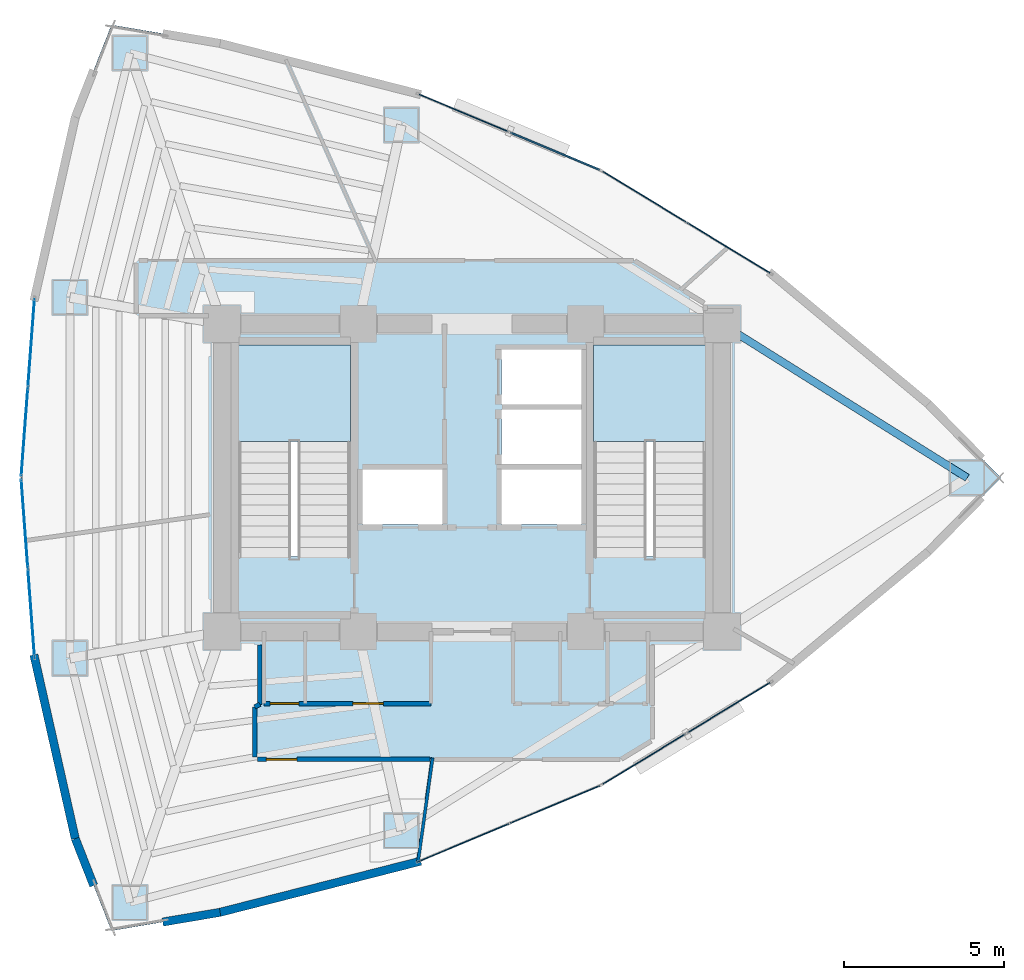
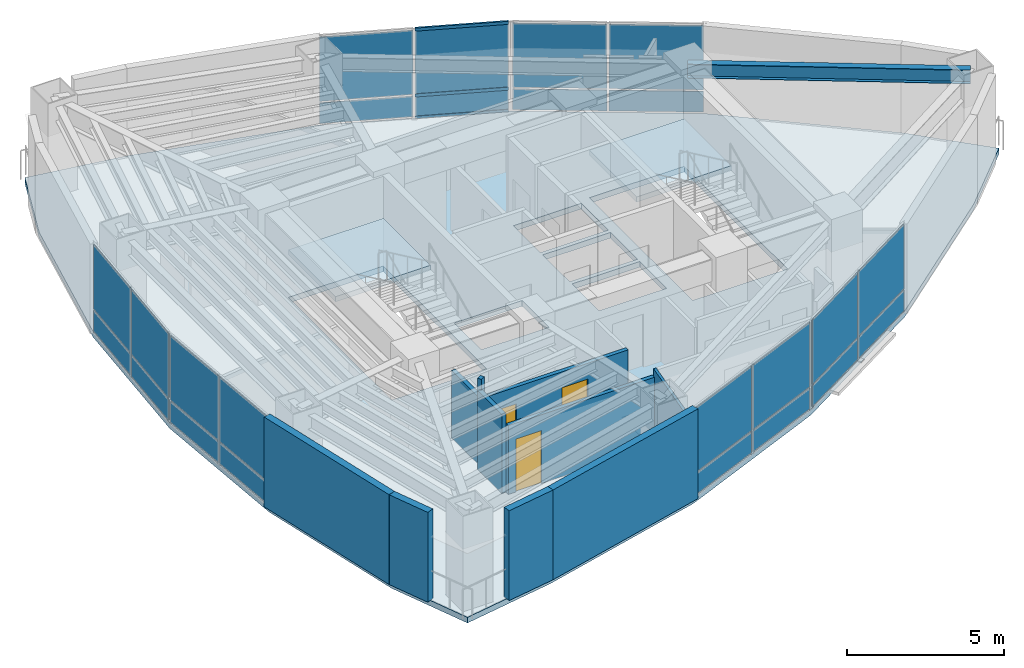
# One storey, part 10 of 15: 24 plates, 10 walls, 3 doors, 3 members, 3 slabs, 1 beam, 3 openings, 8 elements without a shape of their own.
"""IFC4 building model written with IfcOpenShell, lengths in metres."""

from ifc_helpers import new_model, si_unit, direction, frame, frame_2d, origin, origin_2d, place, context, subcontext, project, spatial, polyline, rectangle, hollow_rectangle, i_section, outline, extrude, material, layer, layer_set, material_profile, profile_set, type_object, element, fill, aggregate, save


model = new_model("IFC4")

# Units and contexts
model_context = context("Model", 3, precision=1e-05, world=origin(), true_north=direction((0.0, 1.0)))
body_context = subcontext(model_context, "Body", "Model", "MODEL_VIEW")
ifc_project = project(units=[si_unit("LENGTHUNIT", "METRE"), si_unit("AREAUNIT", "SQUARE_METRE"), si_unit("VOLUMEUNIT", "CUBIC_METRE"), si_unit("PLANEANGLEUNIT", "RADIAN"), si_unit("MASSUNIT", "GRAM", prefix="KILO")], contexts=[model_context])

# Site, building, storey
site_placement = place(None, origin())
site = spatial("IfcSite", under=ifc_project, at=site_placement, CompositionType="ELEMENT")
building_placement = place(site_placement, origin())
building = spatial("IfcBuilding", under=site, at=building_placement, Name="Menara Vayukalpa", CompositionType="ELEMENT")
storey_placement = place(building_placement, frame((0.0, 0.0, 141.179931640625)))
storey = spatial("IfcBuildingStorey", under=building, at=storey_placement, Name="L35", CompositionType="ELEMENT", Elevation=141.179931640625)

# Beam
ifc_material_1 = material(Name="Steel S355", Category="steel")
ifc_material_profile_1 = material_profile(ifc_material_1, i_section(OverallWidth=0.239990234375, OverallDepth=0.550048828125, WebThickness=0.010986328125, FlangeThickness=0.01904296875, at=origin_2d()), Name="WF 550x240x11x19")
ifc_profile_set_1 = profile_set([ifc_material_profile_1], Name="Steel S355")
beam_type = type_object("IfcBeamType", Name="BM-SP2", PredefinedType="SPANDREL", material=ifc_profile_set_1)
beam_placement = place(storey_placement, frame((41.05908203125, 22.0, 3.22509765625), z_axis=(-0.847348220701, 0.531037656739, 0.0), x_axis=(-0.531037656739, -0.847348220701, 0.0)))
element("IfcBeam", 1, at=beam_placement, inside=storey, type_object=beam_type, Name="L35 Perimeter Spandrel Beam SP01", PredefinedType="SPANDREL", context=body_context, shape_type="SweptSolid", body=[
    extrude(i_section(OverallWidth=0.239990234375, OverallDepth=0.550048828125, WebThickness=0.010986328125, FlangeThickness=0.01904296875, at=origin_2d()), origin(), (0.0, 0.0, 1.0), 9.0390625),
])

# Curtain wall, members
ifc_material_2 = material(Name="Anodised Terracotta Aluminium Alloy 6063-T6", Category="masonry")
ifc_layer_1 = layer(ifc_material_2, 0.14990234375)
ifc_layer_set_1 = layer_set([ifc_layer_1], Name="Anodised Terracotta Aluminium Alloy 6063-T6")
curtain_wall_type = type_object("IfcCurtainWallType", Name="CW-CW3", PredefinedType="USERDEFINED", material=ifc_layer_set_1)
curtain_wall_1_placement = place(storey_placement, origin())
curtain_wall_1 = element("IfcCurtainWall", 2, at=curtain_wall_1_placement, inside=storey, type_object=curtain_wall_type, Name="L35 Mid Rise Terracotta Ribbon Curtain Wall CW3 05", ObjectType="UNITISED", PredefinedType="USERDEFINED")
ifc_material_3 = material(Name="Anodised Terracotta Aluminium Alloy 6063-T6", Category="masonry")
ifc_material_profile_2 = material_profile(ifc_material_3, hollow_rectangle(XDim=0.06494140625, YDim=0.1201171875, WallThickness=0.00341796875, at=origin_2d()), Name="ALU 65x120x3.5")
ifc_profile_set_2 = profile_set([ifc_material_profile_2], Name="Anodised Terracotta Aluminium Alloy 6063-T6")
member_type = type_object("IfcMemberType", Name="CWT-CW3", PredefinedType="USERDEFINED", material=ifc_profile_set_2)
member_1_placement = place(storey_placement, frame((29.57666015625, 31.615966796875, 0.032470703125), z_axis=(-0.922529540739, 0.385926478054, 0.0), x_axis=(-0.385926478054, -0.922529540739, 0.0)))
member_1 = element("IfcMember", 3, at=member_1_placement, type_object=member_type, Name="CW3 transom 1.1", ObjectType="TRANSOM", PredefinedType="USERDEFINED", context=body_context, shape_type="SweptSolid", body=[
    extrude(hollow_rectangle(XDim=0.06494140625, YDim=0.1201171875, WallThickness=0.00341796875, at=origin_2d()), origin(), (0.0, 0.0, 1.0), 3.013671875),
])
member_2_placement = place(storey_placement, frame((29.57666015625, 31.615966796875, 0.900146484375), z_axis=(-0.922529540739, 0.385926478054, 0.0), x_axis=(-0.385926478054, -0.922529540739, 0.0)))
member_2 = element("IfcMember", 4, at=member_2_placement, type_object=member_type, Name="CW3 transom 1.2", ObjectType="TRANSOM", PredefinedType="USERDEFINED", context=body_context, shape_type="SweptSolid", body=[
    extrude(hollow_rectangle(XDim=0.06494140625, YDim=0.1201171875, WallThickness=0.00341796875, at=origin_2d()), origin(), (0.0, 0.0, 1.0), 3.013671875),
])
member_3_placement = place(storey_placement, frame((29.57666015625, 31.615966796875, 3.467529296875), z_axis=(-0.922529540739, 0.385926478054, 0.0), x_axis=(-0.385926478054, -0.922529540739, 0.0)))
member_3 = element("IfcMember", 5, at=member_3_placement, type_object=member_type, Name="CW3 transom 1.3", ObjectType="TRANSOM", PredefinedType="USERDEFINED", context=body_context, shape_type="SweptSolid", body=[
    extrude(hollow_rectangle(XDim=0.06494140625, YDim=0.1201171875, WallThickness=0.00341796875, at=origin_2d()), origin(), (0.0, 0.0, 1.0), 3.013671875),
])

# Curtain wall, plates
curtain_wall_2_placement = place(storey_placement, origin())
curtain_wall_2 = element("IfcCurtainWall", 6, at=curtain_wall_2_placement, inside=storey, type_object=curtain_wall_type, Name="L35 Mid Rise Terracotta Ribbon Curtain Wall CW3 04", ObjectType="UNITISED", PredefinedType="USERDEFINED")
ifc_material_4 = material(Name="Low-E Double Glazing", Category="glass")
ifc_layer_2 = layer(ifc_material_4, 0.030029296875)
ifc_layer_set_2 = layer_set([ifc_layer_2], Name="Low-E Double Glazing")
plate_type = type_object("IfcPlateType", Name="CWP-CW3", PredefinedType="CURTAIN_PANEL", material=ifc_layer_set_2)
plate_1_placement = place(storey_placement, frame((33.611328125, 29.176513671875, 0.06494140625), z_axis=(0.0, 0.0, 1.0), x_axis=(-0.854655342409, 0.519195768176, 0.0)))
plate_1 = element("IfcPlate", 7, at=plate_1_placement, type_object=plate_type, Name="CW3 panel 1.1", PredefinedType="CURTAIN_PANEL", context=body_context, shape_type="SweptSolid", body=[
    extrude(rectangle(XDim=3.013671875, YDim=0.030029296875, at=origin_2d()), origin(), (0.0, 0.0, 1.0), 0.802490234375),
])
plate_2_placement = place(storey_placement, frame((33.611328125, 29.176513671875, 0.9326171875), z_axis=(0.0, 0.0, 1.0), x_axis=(-0.854655342409, 0.519195768176, 0.0)))
plate_2 = element("IfcPlate", 8, at=plate_2_placement, type_object=plate_type, Name="CW3 panel 1.2", PredefinedType="CURTAIN_PANEL", context=body_context, shape_type="SweptSolid", body=[
    extrude(rectangle(XDim=3.013671875, YDim=0.030029296875, at=origin_2d()), origin(), (0.0, 0.0, 1.0), 2.50244140625),
])
plate_3_placement = place(storey_placement, frame((30.980224609375, 30.77490234375, 0.06494140625), z_axis=(0.0, 0.0, 1.0), x_axis=(-0.854655342409, 0.519195768176, 0.0)))
plate_3 = element("IfcPlate", 9, at=plate_3_placement, type_object=plate_type, Name="CW3 panel 2.1", PredefinedType="CURTAIN_PANEL", context=body_context, shape_type="SweptSolid", body=[
    extrude(rectangle(XDim=3.013671875, YDim=0.030029296875, at=origin_2d()), origin(), (0.0, 0.0, 1.0), 0.802490234375),
])
plate_4_placement = place(storey_placement, frame((30.980224609375, 30.77490234375, 0.9326171875), z_axis=(0.0, 0.0, 1.0), x_axis=(-0.854655342409, 0.519195768176, 0.0)))
plate_4 = element("IfcPlate", 10, at=plate_4_placement, type_object=plate_type, Name="CW3 panel 2.2", PredefinedType="CURTAIN_PANEL", context=body_context, shape_type="SweptSolid", body=[
    extrude(rectangle(XDim=3.013671875, YDim=0.030029296875, at=origin_2d()), origin(), (0.0, 0.0, 1.0), 2.50244140625),
])
aggregate(curtain_wall_2, [plate_1, plate_2, plate_3, plate_4])

# Plate
plate_5_placement = place(storey_placement, frame((28.1865234375, 32.197509765625, 0.06494140625), z_axis=(0.0, 0.0, 1.0), x_axis=(-0.922546385056, 0.385886210456, 0.0)))
plate_5 = element("IfcPlate", 11, at=plate_5_placement, type_object=plate_type, Name="CW3 panel 1.1", PredefinedType="CURTAIN_PANEL", context=body_context, shape_type="SweptSolid", body=[
    extrude(rectangle(XDim=3.013671875, YDim=0.030029296875, at=origin_2d()), origin(), (0.0, 0.0, 1.0), 0.802490234375),
])

plate_6_placement = place(storey_placement, frame((28.1865234375, 32.197509765625, 0.9326171875), z_axis=(0.0, 0.0, 1.0), x_axis=(-0.922546385056, 0.385886210456, 0.0)))
plate_6 = element("IfcPlate", 12, at=plate_6_placement, type_object=plate_type, Name="CW3 panel 1.2", PredefinedType="CURTAIN_PANEL", context=body_context, shape_type="SweptSolid", body=[
    extrude(rectangle(XDim=3.013671875, YDim=0.030029296875, at=origin_2d()), origin(), (0.0, 0.0, 1.0), 2.50244140625),
])

plate_7_placement = place(storey_placement, frame((25.34619140625, 33.3857421875, 0.06494140625), z_axis=(0.0, 0.0, 1.0), x_axis=(-0.922546385056, 0.385886210456, 0.0)))
plate_7 = element("IfcPlate", 13, at=plate_7_placement, type_object=plate_type, Name="CW3 panel 2.1", PredefinedType="CURTAIN_PANEL", context=body_context, shape_type="SweptSolid", body=[
    extrude(rectangle(XDim=3.013671875, YDim=0.030029296875, at=origin_2d()), origin(), (0.0, 0.0, 1.0), 0.802490234375),
])

plate_8_placement = place(storey_placement, frame((25.34619140625, 33.3857421875, 0.9326171875), z_axis=(0.0, 0.0, 1.0), x_axis=(-0.922546385056, 0.385886210456, 0.0)))
plate_8 = element("IfcPlate", 14, at=plate_8_placement, type_object=plate_type, Name="CW3 panel 2.2", PredefinedType="CURTAIN_PANEL", context=body_context, shape_type="SweptSolid", body=[
    extrude(rectangle(XDim=3.013671875, YDim=0.030029296875, at=origin_2d()), origin(), (0.0, 0.0, 1.0), 2.50244140625),
])

aggregate(curtain_wall_1, [member_1, member_2, member_3, plate_5, plate_6, plate_7, plate_8])

# Curtain wall, plates
curtain_wall_3_placement = place(storey_placement, origin())
curtain_wall_3 = element("IfcCurtainWall", 15, at=curtain_wall_3_placement, inside=storey, type_object=curtain_wall_type, Name="L35 Mid Rise Terracotta Ribbon Curtain Wall CW3 10", ObjectType="UNITISED", PredefinedType="USERDEFINED")
plate_9_placement = place(storey_placement, frame((11.84228515625, 26.207763671875, 0.06494140625), z_axis=(0.0, 0.0, 1.0), x_axis=(-0.074792589364, -0.997199111801, 0.0)))
plate_9 = element("IfcPlate", 16, at=plate_9_placement, type_object=plate_type, Name="CW3 panel 1.1", PredefinedType="CURTAIN_PANEL", context=body_context, shape_type="SweptSolid", body=[
    extrude(rectangle(XDim=2.726318359375, YDim=0.030029296875, at=origin_2d()), origin(), (0.0, 0.0, 1.0), 0.802490234375),
])
plate_10_placement = place(storey_placement, frame((11.84228515625, 26.207763671875, 0.9326171875), z_axis=(0.0, 0.0, 1.0), x_axis=(-0.074792589364, -0.997199111801, 0.0)))
plate_10 = element("IfcPlate", 17, at=plate_10_placement, type_object=plate_type, Name="CW3 panel 1.2", PredefinedType="CURTAIN_PANEL", context=body_context, shape_type="SweptSolid", body=[
    extrude(rectangle(XDim=2.726318359375, YDim=0.030029296875, at=origin_2d()), origin(), (0.0, 0.0, 1.0), 2.50244140625),
])
plate_11_placement = place(storey_placement, frame((11.633544921875, 23.424072265625, 0.06494140625), z_axis=(0.0, 0.0, 1.0), x_axis=(-0.074792589364, -0.997199111801, 0.0)))
plate_11 = element("IfcPlate", 18, at=plate_11_placement, type_object=plate_type, Name="CW3 panel 2.1", PredefinedType="CURTAIN_PANEL", context=body_context, shape_type="SweptSolid", body=[
    extrude(rectangle(XDim=2.726318359375, YDim=0.030029296875, at=origin_2d()), origin(), (0.0, 0.0, 1.0), 0.802490234375),
])
plate_12_placement = place(storey_placement, frame((11.633544921875, 23.424072265625, 0.9326171875), z_axis=(0.0, 0.0, 1.0), x_axis=(-0.074792589364, -0.997199111801, 0.0)))
plate_12 = element("IfcPlate", 19, at=plate_12_placement, type_object=plate_type, Name="CW3 panel 2.2", PredefinedType="CURTAIN_PANEL", context=body_context, shape_type="SweptSolid", body=[
    extrude(rectangle(XDim=2.726318359375, YDim=0.030029296875, at=origin_2d()), origin(), (0.0, 0.0, 1.0), 2.50244140625),
])
aggregate(curtain_wall_3, [plate_9, plate_10, plate_11, plate_12])

curtain_wall_4_placement = place(storey_placement, origin())
curtain_wall_4 = element("IfcCurtainWall", 20, at=curtain_wall_4_placement, inside=storey, type_object=curtain_wall_type, Name="L35 Mid Rise Terracotta Ribbon Curtain Wall CW3 11", ObjectType="UNITISED", PredefinedType="USERDEFINED")
plate_13_placement = place(storey_placement, frame((11.633544921875, 20.575927734375, 0.06494140625), z_axis=(0.0, 0.0, 1.0), x_axis=(0.074792589364, -0.997199111801, 0.0)))
plate_13 = element("IfcPlate", 21, at=plate_13_placement, type_object=plate_type, Name="CW3 panel 1.1", PredefinedType="CURTAIN_PANEL", context=body_context, shape_type="SweptSolid", body=[
    extrude(rectangle(XDim=2.726318359375, YDim=0.030029296875, at=origin_2d()), origin(), (0.0, 0.0, 1.0), 0.802490234375),
])
plate_14_placement = place(storey_placement, frame((11.633544921875, 20.575927734375, 0.9326171875), z_axis=(0.0, 0.0, 1.0), x_axis=(0.074792589364, -0.997199111801, 0.0)))
plate_14 = element("IfcPlate", 22, at=plate_14_placement, type_object=plate_type, Name="CW3 panel 1.2", PredefinedType="CURTAIN_PANEL", context=body_context, shape_type="SweptSolid", body=[
    extrude(rectangle(XDim=2.726318359375, YDim=0.030029296875, at=origin_2d()), origin(), (0.0, 0.0, 1.0), 2.50244140625),
])
plate_15_placement = place(storey_placement, frame((11.84228515625, 17.792236328125, 0.06494140625), z_axis=(0.0, 0.0, 1.0), x_axis=(0.074792589364, -0.997199111801, 0.0)))
plate_15 = element("IfcPlate", 23, at=plate_15_placement, type_object=plate_type, Name="CW3 panel 2.1", PredefinedType="CURTAIN_PANEL", context=body_context, shape_type="SweptSolid", body=[
    extrude(rectangle(XDim=2.726318359375, YDim=0.030029296875, at=origin_2d()), origin(), (0.0, 0.0, 1.0), 0.802490234375),
])
plate_16_placement = place(storey_placement, frame((11.84228515625, 17.792236328125, 0.9326171875), z_axis=(0.0, 0.0, 1.0), x_axis=(0.074792589364, -0.997199111801, 0.0)))
plate_16 = element("IfcPlate", 24, at=plate_16_placement, type_object=plate_type, Name="CW3 panel 2.2", PredefinedType="CURTAIN_PANEL", context=body_context, shape_type="SweptSolid", body=[
    extrude(rectangle(XDim=2.726318359375, YDim=0.030029296875, at=origin_2d()), origin(), (0.0, 0.0, 1.0), 2.50244140625),
])
aggregate(curtain_wall_4, [plate_13, plate_14, plate_15, plate_16])

curtain_wall_5_placement = place(storey_placement, origin())
curtain_wall_5 = element("IfcCurtainWall", 25, at=curtain_wall_5_placement, inside=storey, type_object=curtain_wall_type, Name="L35 Mid Rise Terracotta Ribbon Curtain Wall CW3 16", ObjectType="UNITISED", PredefinedType="USERDEFINED")
plate_17_placement = place(storey_placement, frame((25.34619140625, 10.6142578125, 0.06494140625), z_axis=(0.0, 0.0, 1.0), x_axis=(0.922546385056, 0.385886210456, 0.0)))
plate_17 = element("IfcPlate", 26, at=plate_17_placement, type_object=plate_type, Name="CW3 panel 1.1", PredefinedType="CURTAIN_PANEL", context=body_context, shape_type="SweptSolid", body=[
    extrude(rectangle(XDim=3.013671875, YDim=0.030029296875, at=origin_2d()), origin(), (0.0, 0.0, 1.0), 0.802490234375),
])
plate_18_placement = place(storey_placement, frame((25.34619140625, 10.6142578125, 0.9326171875), z_axis=(0.0, 0.0, 1.0), x_axis=(0.922546385056, 0.385886210456, 0.0)))
plate_18 = element("IfcPlate", 27, at=plate_18_placement, type_object=plate_type, Name="CW3 panel 1.2", PredefinedType="CURTAIN_PANEL", context=body_context, shape_type="SweptSolid", body=[
    extrude(rectangle(XDim=3.013671875, YDim=0.030029296875, at=origin_2d()), origin(), (0.0, 0.0, 1.0), 2.50244140625),
])
plate_19_placement = place(storey_placement, frame((28.1865234375, 11.802490234375, 0.06494140625), z_axis=(0.0, 0.0, 1.0), x_axis=(0.922546385056, 0.385886210456, 0.0)))
plate_19 = element("IfcPlate", 28, at=plate_19_placement, type_object=plate_type, Name="CW3 panel 2.1", PredefinedType="CURTAIN_PANEL", context=body_context, shape_type="SweptSolid", body=[
    extrude(rectangle(XDim=3.013671875, YDim=0.030029296875, at=origin_2d()), origin(), (0.0, 0.0, 1.0), 0.802490234375),
])
plate_20_placement = place(storey_placement, frame((28.1865234375, 11.802490234375, 0.9326171875), z_axis=(0.0, 0.0, 1.0), x_axis=(0.922546385056, 0.385886210456, 0.0)))
plate_20 = element("IfcPlate", 29, at=plate_20_placement, type_object=plate_type, Name="CW3 panel 2.2", PredefinedType="CURTAIN_PANEL", context=body_context, shape_type="SweptSolid", body=[
    extrude(rectangle(XDim=3.013671875, YDim=0.030029296875, at=origin_2d()), origin(), (0.0, 0.0, 1.0), 2.50244140625),
])
aggregate(curtain_wall_5, [plate_17, plate_18, plate_19, plate_20])

curtain_wall_6_placement = place(storey_placement, origin())
curtain_wall_6 = element("IfcCurtainWall", 30, at=curtain_wall_6_placement, inside=storey, type_object=curtain_wall_type, Name="L35 Mid Rise Terracotta Ribbon Curtain Wall CW3 17", ObjectType="UNITISED", PredefinedType="USERDEFINED")
plate_21_placement = place(storey_placement, frame((30.980224609375, 13.22509765625, 0.06494140625), z_axis=(0.0, 0.0, 1.0), x_axis=(0.854655342409, 0.519195768176, 0.0)))
plate_21 = element("IfcPlate", 31, at=plate_21_placement, type_object=plate_type, Name="CW3 panel 1.1", PredefinedType="CURTAIN_PANEL", context=body_context, shape_type="SweptSolid", body=[
    extrude(rectangle(XDim=3.013671875, YDim=0.030029296875, at=origin_2d()), origin(), (0.0, 0.0, 1.0), 0.802490234375),
])
plate_22_placement = place(storey_placement, frame((30.980224609375, 13.22509765625, 0.9326171875), z_axis=(0.0, 0.0, 1.0), x_axis=(0.854655342409, 0.519195768176, 0.0)))
plate_22 = element("IfcPlate", 32, at=plate_22_placement, type_object=plate_type, Name="CW3 panel 1.2", PredefinedType="CURTAIN_PANEL", context=body_context, shape_type="SweptSolid", body=[
    extrude(rectangle(XDim=3.013671875, YDim=0.030029296875, at=origin_2d()), origin(), (0.0, 0.0, 1.0), 2.50244140625),
])
plate_23_placement = place(storey_placement, frame((33.611328125, 14.823486328125, 0.06494140625), z_axis=(0.0, 0.0, 1.0), x_axis=(0.854655342409, 0.519195768176, 0.0)))
plate_23 = element("IfcPlate", 33, at=plate_23_placement, type_object=plate_type, Name="CW3 panel 2.1", PredefinedType="CURTAIN_PANEL", context=body_context, shape_type="SweptSolid", body=[
    extrude(rectangle(XDim=3.013671875, YDim=0.030029296875, at=origin_2d()), origin(), (0.0, 0.0, 1.0), 0.802490234375),
])
plate_24_placement = place(storey_placement, frame((33.611328125, 14.823486328125, 0.9326171875), z_axis=(0.0, 0.0, 1.0), x_axis=(0.854655342409, 0.519195768176, 0.0)))
plate_24 = element("IfcPlate", 34, at=plate_24_placement, type_object=plate_type, Name="CW3 panel 2.2", PredefinedType="CURTAIN_PANEL", context=body_context, shape_type="SweptSolid", body=[
    extrude(rectangle(XDim=3.013671875, YDim=0.030029296875, at=origin_2d()), origin(), (0.0, 0.0, 1.0), 2.50244140625),
])
aggregate(curtain_wall_6, [plate_21, plate_22, plate_23, plate_24])

# Slab
ifc_material_5 = material(Name="Concrete C40/50", Category="concrete")
ifc_layer_3 = layer(ifc_material_5, 0.219970703125)
ifc_layer_set_3 = layer_set([ifc_layer_3], Name="Concrete C40/50")
slab_type_1 = type_object("IfcSlabType", Name="SLB-FL220", PredefinedType="FLOOR", material=ifc_layer_set_3)
slab_1_placement = place(storey_placement, frame((0.0, 0.0, -0.219970703125)))
element("IfcSlab", 35, at=slab_1_placement, inside=storey, type_object=slab_type_1, Name="L35 Structural Floor Slab", PredefinedType="FLOOR", context=body_context, shape_type="SweptSolid", body=[
    extrude(outline(polyline([(39.8505859375, 19.69970703125), (42.109130859375, 22.0), (39.8505859375, 24.30029296875), (34.954833984375, 28.3603515625), (29.63671875, 31.591064453125), (23.89599609375, 33.9921875), (17.733154296875, 35.56396484375), (14.345458984375, 36.13916015625), (13.21630859375, 33.263671875), (11.94921875, 27.6318359375), (11.526611328125, 22.0), (11.94921875, 16.3681640625), (13.21630859375, 10.736328125), (14.345458984375, 7.86083984375), (17.733154296875, 8.43603515625), (23.89599609375, 10.0078125), (29.63671875, 12.408935546875), (34.954833984375, 15.6396484375), (39.8505859375, 19.69970703125)]), holes=[polyline([(21.800048828125, 19.550048828125), (21.800048828125, 26.14990234375), (18.300048828125, 26.14990234375), (18.300048828125, 19.550048828125), (21.800048828125, 19.550048828125)]), polyline([(32.89990234375, 19.550048828125), (32.89990234375, 26.14990234375), (29.39990234375, 26.14990234375), (29.39990234375, 19.550048828125), (32.89990234375, 19.550048828125)]), polyline([(22.179931640625, 20.550048828125), (24.679931640625, 20.550048828125), (24.679931640625, 22.27001953125), (22.179931640625, 22.27001953125), (22.179931640625, 20.550048828125)]), polyline([(26.52001953125, 20.550048828125), (29.02001953125, 20.550048828125), (29.02001953125, 22.27001953125), (26.52001953125, 22.27001953125), (26.52001953125, 20.550048828125)]), polyline([(26.52001953125, 24.2900390625), (29.02001953125, 24.2900390625), (29.02001953125, 26.010009765625), (26.52001953125, 26.010009765625), (26.52001953125, 24.2900390625)]), polyline([(26.52001953125, 22.419921875), (29.02001953125, 22.419921875), (29.02001953125, 24.139892578125), (26.52001953125, 24.139892578125), (26.52001953125, 22.419921875)])]), origin(), (0.0, 0.0, 1.0), 0.219970703125),
])

# Stair, slab
ifc_material_6 = material(Name="Precast Concrete C40/50", Category="concrete")
stair_type = type_object("IfcStairType", Name="STR-T04", PredefinedType="DOUBLE_RETURN_STAIR", material=ifc_material_6)
stair_1_placement = place(storey_placement, origin())
stair_1 = element("IfcStair", 36, at=stair_1_placement, inside=storey, type_object=stair_type, Name="L35 Core Exit Stair ST-1", PredefinedType="DOUBLE_RETURN_STAIR")
ifc_material_7 = material(Name="Precast Concrete C40/50", Category="concrete")
ifc_layer_4 = layer(ifc_material_7, 0.199951171875)
ifc_layer_set_4 = layer_set([ifc_layer_4], Name="Precast Concrete C40/50")
slab_type_2 = type_object("IfcSlabType", Name="SLB-LND200", PredefinedType="LANDING", material=ifc_layer_set_4)
slab_2_placement = place(storey_placement, frame((0.0, 0.0, 1.66015625)))
slab_2 = element("IfcSlab", 37, at=slab_2_placement, type_object=slab_type_2, Name="ST-1 landing 1", PredefinedType="LANDING", context=body_context, shape_type="SweptSolid", body=[
    extrude(outline(polyline([(21.800048828125, 23.1298828125), (21.800048828125, 26.14990234375), (18.300048828125, 26.14990234375), (18.300048828125, 23.1298828125), (21.800048828125, 23.1298828125)])), origin(), (0.0, 0.0, 1.0), 0.199951171875),
])
aggregate(stair_1, [slab_2])

stair_2_placement = place(storey_placement, origin())
stair_2 = element("IfcStair", 38, at=stair_2_placement, inside=storey, type_object=stair_type, Name="L35 Core Exit Stair ST-2", PredefinedType="DOUBLE_RETURN_STAIR")
slab_3_placement = place(storey_placement, frame((0.0, 0.0, 1.66015625)))
slab_3 = element("IfcSlab", 39, at=slab_3_placement, type_object=slab_type_2, Name="ST-2 landing 1", PredefinedType="LANDING", context=body_context, shape_type="SweptSolid", body=[
    extrude(outline(polyline([(32.89990234375, 23.1298828125), (32.89990234375, 26.14990234375), (29.39990234375, 26.14990234375), (29.39990234375, 23.1298828125), (32.89990234375, 23.1298828125)])), origin(), (0.0, 0.0, 1.0), 0.199951171875),
])
aggregate(stair_2, [slab_3])

# Walls
ifc_material_8 = material(Name="Insulated Precast Concrete C40/50", Category="concrete")
ifc_layer_5 = layer(ifc_material_8, 0.260009765625)
ifc_layer_set_5 = layer_set([ifc_layer_5], Name="Insulated Precast Concrete C40/50")
wall_type_1 = type_object("IfcWallType", Name="WAL-EXT260", PredefinedType="PARTITIONING", material=ifc_layer_set_5)
wall_1_placement = place(storey_placement, frame((13.21630859375, 10.736328125, 0.0), z_axis=(0.0, 0.0, 1.0), x_axis=(-0.219500344647, 0.975612422379, 0.0)))
element("IfcWall", 40, at=wall_1_placement, inside=storey, type_object=wall_type_1, Name="L35 Perimeter Terracotta Pier Wall 12", PredefinedType="PARTITIONING", context=body_context, shape_type="SweptSolid", body=[
    extrude(rectangle(XDim=5.8828125, YDim=0.260009765625, at=frame_2d((2.94140625, 0.0))), origin(), (0.0, 0.0, 1.0), 3.5),
])
wall_2_placement = place(storey_placement, frame((13.790771484375, 9.2734375, 0.0), z_axis=(0.0, 0.0, 1.0), x_axis=(-0.365517796794, 0.930804351207, 0.0)))
element("IfcWall", 41, at=wall_2_placement, inside=storey, type_object=wall_type_1, Name="L35 Perimeter Terracotta Pier Wall 13", PredefinedType="PARTITIONING", context=body_context, shape_type="SweptSolid", body=[
    extrude(rectangle(XDim=1.571533203125, YDim=0.260009765625, at=frame_2d((0.78564453125, 0.0))), origin(), (0.0, 0.0, 1.0), 3.5),
])
wall_3_placement = place(storey_placement, frame((17.739013671875, 8.43701171875, 0.0), z_axis=(0.0, 0.0, 1.0), x_axis=(-0.985903286971, -0.167316193894, 0.0)))
element("IfcWall", 42, at=wall_3_placement, inside=storey, type_object=wall_type_1, Name="L35 Perimeter Terracotta Pier Wall 14", PredefinedType="PARTITIONING", context=body_context, shape_type="SweptSolid", body=[
    extrude(rectangle(XDim=1.818115234375, YDim=0.260009765625, at=frame_2d((0.9091796875, 0.0))), origin(), (0.0, 0.0, 1.0), 3.5),
])
wall_4_placement = place(storey_placement, frame((24.002685546875, 10.034912109375, 0.0), z_axis=(0.0, 0.0, 1.0), x_axis=(-0.968987460493, -0.24710989743, 0.0)))
element("IfcWall", 43, at=wall_4_placement, inside=storey, type_object=wall_type_1, Name="L35 Perimeter Terracotta Pier Wall 15", PredefinedType="PARTITIONING", context=body_context, shape_type="SweptSolid", body=[
    extrude(rectangle(XDim=6.476318359375, YDim=0.260009765625, at=frame_2d((3.23828125, 0.0))), origin(), (0.0, 0.0, 1.0), 3.5),
])
ifc_material_9 = material(Name="Glazed Demountable Office Partition", Category="glass")
ifc_layer_6 = layer(ifc_material_9, 0.094970703125)
ifc_layer_set_6 = layer_set([ifc_layer_6], Name="Glazed Demountable Office Partition")
wall_type_2 = type_object("IfcWallType", Name="WAL-PT100", PredefinedType="PARTITIONING", material=ifc_layer_set_6)
wall_5_placement = place(storey_placement, frame((24.37158203125, 13.260009765625, 0.0), z_axis=(0.0, 0.0, 1.0), x_axis=(-0.139164942591, -0.990269215291, 0.0)))
element("IfcWall", 44, at=wall_5_placement, inside=storey, type_object=wall_type_2, Name="L35 Interior Partition IW-L35-RDIV04", PredefinedType="PARTITIONING", context=body_context, shape_type="SweptSolid", body=[
    extrude(rectangle(XDim=3.28759765625, YDim=0.094970703125, at=frame_2d((1.643798828125, 0.0))), origin(), (0.0, 0.0, 1.0), 2.93017578125),
])

# Wall, openings, doors
ifc_material_10 = material(Name="Gypsum Drywall Acoustic Stud Assembly", Category="masonry")
ifc_layer_7 = layer(ifc_material_10, 0.14501953125)
ifc_layer_set_7 = layer_set([ifc_layer_7], Name="Gypsum Drywall Acoustic Stud Assembly")
wall_type_3 = type_object("IfcWallType", Name="WAL-PT150", PredefinedType="PARTITIONING", material=ifc_layer_set_7)
wall_6_placement = place(storey_placement, frame((19.10009765625, 14.949951171875, 0.0), z_axis=(0.0, 0.0, 1.0), x_axis=(1.0, 0.0, 0.0)))
wall_6 = element("IfcWall", 45, at=wall_6_placement, inside=storey, type_object=wall_type_3, Name="L35 Interior Partition IW-L35-SVCS-W", PredefinedType="PARTITIONING", context=body_context, shape_type="SweptSolid", body=[
    extrude(rectangle(XDim=5.219970703125, YDim=0.14501953125, at=frame_2d((2.60986328125, 0.0))), origin(), (0.0, 0.0, 1.0), 2.68017578125),
])
opening_1_placement = place(wall_6_placement, frame((0.199951171875, 0.0, 0.0)))
opening_1 = element("IfcOpeningElement", 46, at=opening_1_placement, cuts=wall_6, Name="Opening ID7", PredefinedType="OPENING", context=body_context, shape_type="SweptSolid", body=[
    extrude(rectangle(XDim=0.89990234375, YDim=2.02001953125, at=frame_2d((0.449951171875, 1.010009765625))), frame((0.0, 0.08251953125, 0.0), z_axis=(0.0, -1.0, 0.0), x_axis=(1.0, 0.0, 0.0)), (0.0, 0.0, 1.0), 0.1650390625),
])
opening_2_placement = place(wall_6_placement, frame((2.784912109375, 0.0, 0.0)))
opening_2 = element("IfcOpeningElement", 47, at=opening_2_placement, cuts=wall_6, Name="Opening ID5", PredefinedType="OPENING", context=body_context, shape_type="SweptSolid", body=[
    extrude(rectangle(XDim=0.949951171875, YDim=2.06005859375, at=frame_2d((0.47509765625, 1.030029296875))), frame((0.0, 0.08251953125, 0.0), z_axis=(0.0, -1.0, 0.0), x_axis=(1.0, 0.0, 0.0)), (0.0, 0.0, 1.0), 0.1650390625),
])
ifc_material_11 = material(Name="Acoustic Hardwood Veneer Timber Door", Category="wood")
door_type_1 = type_object("IfcDoorType", Name="DR-INT95", OperationType="NOTDEFINED", PredefinedType="DOOR", material=ifc_material_11)
door_1_placement = place(opening_2_placement, origin())
door_1 = element("IfcDoor", 48, at=door_1_placement, inside=storey, type_object=door_type_1, Name="L35 Interior Door DR-L35-AWC", OperationType="SINGLE_SWING_LEFT", OverallHeight=2.06005859375, OverallWidth=0.949951171875, PredefinedType="DOOR", context=body_context, shape_type="SweptSolid", body=[
    extrude(rectangle(XDim=0.949951171875, YDim=2.06005859375, at=frame_2d((0.47509765625, 1.030029296875))), frame((0.0, 0.02490234375, 0.0), z_axis=(0.0, -1.0, 0.0), x_axis=(1.0, 0.0, 0.0)), (0.0, 0.0, 1.0), 0.050048828125),
])
fill(opening_2, door_1)
ifc_material_12 = material(Name="Powder-Coated Steel Riser Access Door", Category="steel")
door_type_2 = type_object("IfcDoorType", Name="DR-RISER", OperationType="NOTDEFINED", PredefinedType="DOOR", material=ifc_material_12)
door_2_placement = place(opening_1_placement, origin())
door_2 = element("IfcDoor", 49, at=door_2_placement, inside=storey, type_object=door_type_2, Name="L35 Interior Door DR-L35-ELR", OperationType="SINGLE_SWING_RIGHT", OverallHeight=2.02001953125, OverallWidth=0.89990234375, PredefinedType="DOOR", context=body_context, shape_type="SweptSolid", body=[
    extrude(rectangle(XDim=0.89990234375, YDim=2.02001953125, at=frame_2d((0.449951171875, 1.010009765625))), frame((0.0, 0.02490234375, 0.0), z_axis=(0.0, -1.0, 0.0), x_axis=(1.0, 0.0, 0.0)), (0.0, 0.0, 1.0), 0.050048828125),
])
fill(opening_1, door_2)

# Walls
wall_7_placement = place(storey_placement, frame((18.97998046875, 16.780029296875, 0.0), z_axis=(0.0, 0.0, 1.0), x_axis=(0.0, -1.0, 0.0)))
element("IfcWall", 50, at=wall_7_placement, inside=storey, type_object=wall_type_3, Name="L35 Interior Partition IW-L35-CRM01-1", PredefinedType="PARTITIONING", context=body_context, shape_type="SweptSolid", body=[
    extrude(rectangle(XDim=1.85009765625, YDim=0.14501953125, at=frame_2d((0.925048828125, 0.0))), origin(), (0.0, 0.0, 1.0), 2.630126953125),
])
wall_8_placement = place(storey_placement, frame((18.820068359375, 14.85009765625, 0.0), z_axis=(0.0, 0.0, 1.0), x_axis=(0.0, -1.0, 0.0)))
element("IfcWall", 51, at=wall_8_placement, inside=storey, type_object=wall_type_3, Name="L35 Interior Partition IW-L35-CRM01-2", PredefinedType="PARTITIONING", context=body_context, shape_type="SweptSolid", body=[
    extrude(rectangle(XDim=1.56005859375, YDim=0.14501953125, at=frame_2d((0.780029296875, 0.0))), origin(), (0.0, 0.0, 1.0), 3.080078125),
])

# Wall, opening, door
wall_9_placement = place(storey_placement, frame((18.89990234375, 13.2099609375, 0.0), z_axis=(0.0, 0.0, 1.0), x_axis=(1.0, 0.0, 0.0)))
wall_9 = element("IfcWall", 52, at=wall_9_placement, inside=storey, type_object=wall_type_3, Name="L35 Interior Partition IW-L35-CRM01-3", PredefinedType="PARTITIONING", context=body_context, shape_type="SweptSolid", body=[
    extrude(rectangle(XDim=5.39404296875, YDim=0.14501953125, at=frame_2d((2.697021484375, 0.0))), origin(), (0.0, 0.0, 1.0), 2.68017578125),
])
opening_3_placement = place(wall_9_placement, frame((0.280029296875, 0.0, 0.0)))
opening_3 = element("IfcOpeningElement", 53, at=opening_3_placement, cuts=wall_9, Name="Opening ID5", PredefinedType="OPENING", context=body_context, shape_type="SweptSolid", body=[
    extrude(rectangle(XDim=0.949951171875, YDim=2.06005859375, at=frame_2d((0.47509765625, 1.030029296875))), frame((0.0, 0.08251953125, 0.0), z_axis=(0.0, -1.0, 0.0), x_axis=(1.0, 0.0, 0.0)), (0.0, 0.0, 1.0), 0.1650390625),
])
door_3_placement = place(opening_3_placement, origin())
door_3 = element("IfcDoor", 54, at=door_3_placement, inside=storey, type_object=door_type_1, Name="L35 Interior Door DR-L35-RM01", OperationType="SINGLE_SWING_LEFT", OverallHeight=2.06005859375, OverallWidth=0.949951171875, PredefinedType="DOOR", context=body_context, shape_type="SweptSolid", body=[
    extrude(rectangle(XDim=0.949951171875, YDim=2.06005859375, at=frame_2d((0.47509765625, 1.030029296875))), frame((0.0, 0.02490234375, 0.0), z_axis=(0.0, -1.0, 0.0), x_axis=(1.0, 0.0, 0.0)), (0.0, 0.0, 1.0), 0.050048828125),
])
fill(opening_3, door_3)

# Wall
wall_10_placement = place(storey_placement, frame((18.820068359375, 14.85009765625, 0.0), z_axis=(0.0, 0.0, 1.0), x_axis=(0.89470021502, 0.446667130247, 0.0)))
element("IfcWall", 55, at=wall_10_placement, inside=storey, type_object=wall_type_3, Name="L35 Interior Partition IW-L35-CRM01-2-R0", PredefinedType="PARTITIONING", context=body_context, shape_type="SweptSolid", body=[
    extrude(rectangle(XDim=0.1787109375, YDim=0.14501953125, at=frame_2d((0.08935546875, 0.0))), origin(), (0.0, 0.0, 1.0), 3.5),
])

save(model, "model.ifc")
